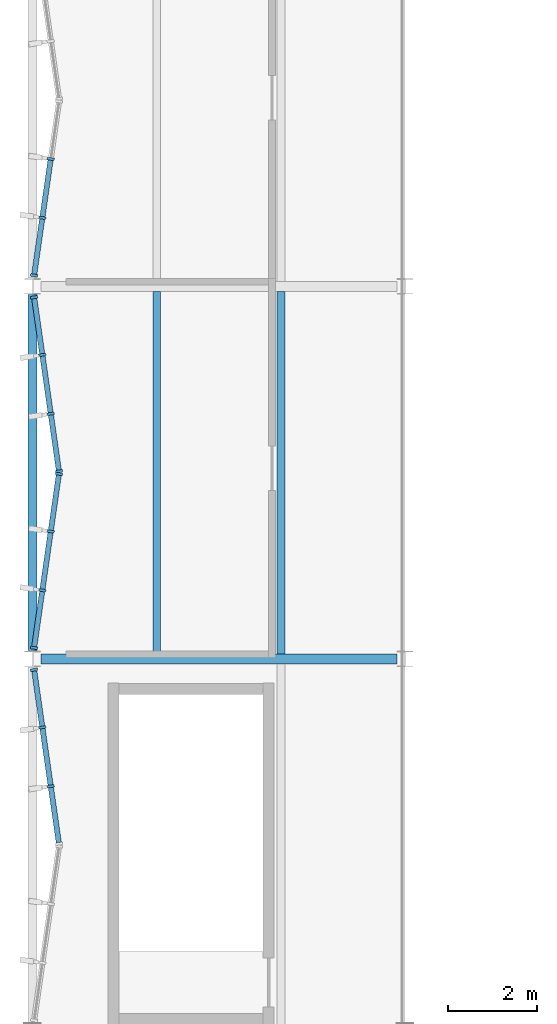
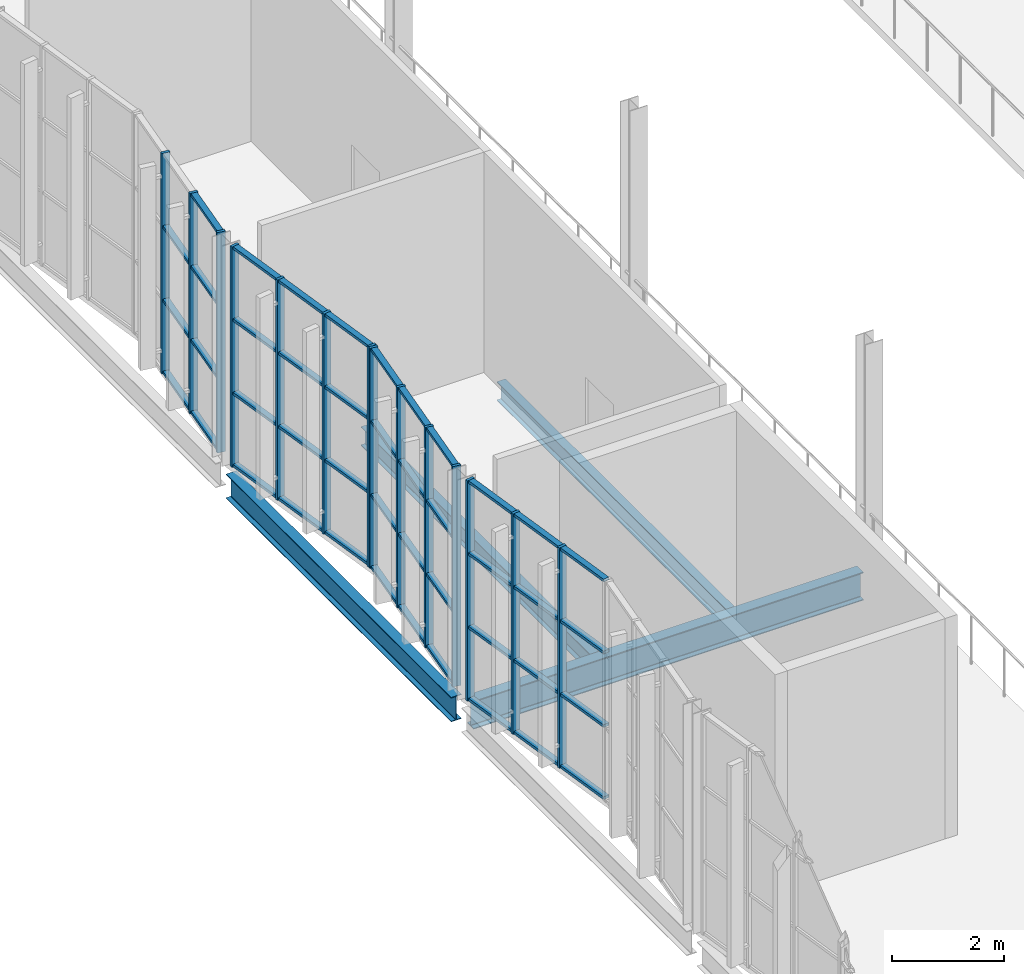
# One storey, part 30 of 116: 57 members, 4 beams, 4 elements without a shape of their own.
"""IFC4 building model written with IfcOpenShell, lengths in metres."""

from ifc_helpers import new_model, si_unit, direction, frame, origin, origin_2d, place, context, subcontext, project, spatial, rectangle, i_section, extrude, material, material_profile, profile_set, type_object, element, aggregate, save


model = new_model("IFC4")

# Units and contexts
model_context = context("Model", 3, precision=1e-05, world=origin(), true_north=direction((0.0, 1.0)))
body_context = subcontext(model_context, "Body", "Model", "MODEL_VIEW")
ifc_project = project(units=[si_unit("LENGTHUNIT", "METRE"), si_unit("AREAUNIT", "SQUARE_METRE"), si_unit("VOLUMEUNIT", "CUBIC_METRE"), si_unit("PLANEANGLEUNIT", "RADIAN"), si_unit("MASSUNIT", "GRAM", prefix="KILO")], contexts=[model_context])

# Site, building, storey
site_placement = place(None, origin())
site = spatial("IfcSite", under=ifc_project, at=site_placement, CompositionType="ELEMENT")
building_placement = place(site_placement, origin())
building = spatial("IfcBuilding", under=site, at=building_placement, Name="Ljudholm Concert House", CompositionType="ELEMENT")
storey_placement = place(building_placement, frame((0.0, 0.0, 10.199951171875)))
storey = spatial("IfcBuildingStorey", under=building, at=storey_placement, Name="L02", CompositionType="ELEMENT", Elevation=10.199951171875)

# Curtain wall, members
ifc_material_1 = material(Name="Aluminium curtain wall with impact-rated laminated glass", Category="aluminium")
curtain_wall_type = type_object("IfcCurtainWallType", Name="CURTAIN WALL 1400", PredefinedType="NOTDEFINED", material=ifc_material_1)
curtain_wall_1_placement = place(storey_placement, origin())
curtain_wall_1 = element("IfcCurtainWall", 1, at=curtain_wall_1_placement, inside=storey, type_object=curtain_wall_type, Name="Facade curtain wall", PredefinedType="NOTDEFINED")
ifc_material_2 = material(Name="Aluminium extrusion", Category="aluminium")
ifc_material_profile_1 = material_profile(ifc_material_2, rectangle(XDim=0.159912109375, YDim=0.06005859375, at=origin_2d()), Name="MULLION 60x160")
ifc_profile_set_1 = profile_set([ifc_material_profile_1], Name="Aluminium extrusion")
member_type_1 = type_object("IfcMemberType", Name="MULLION 60x160", PredefinedType="MULLION", material=ifc_profile_set_1)
member_1_placement = place(storey_placement, frame((4.410400390625, 68.327392578125, 0.0), z_axis=(0.0, 0.0, 1.0), x_axis=(-0.989949493647, -0.141421356338, 0.0)))
member_1 = element("IfcMember", 2, at=member_1_placement, type_object=member_type_1, Name="Mullion", PredefinedType="MULLION", context=body_context, shape_type="SweptSolid", body=[
    extrude(rectangle(XDim=0.159912109375, YDim=0.06005859375, at=origin_2d()), origin(), (0.0, 0.0, 1.0), 4.800048828125),
])
member_2_placement = place(storey_placement, frame((4.220703125, 69.65478515625, 0.0), z_axis=(0.0, 0.0, 1.0), x_axis=(-0.989949493647, -0.141421356338, 0.0)))
member_2 = element("IfcMember", 3, at=member_2_placement, type_object=member_type_1, Name="Mullion", PredefinedType="MULLION", context=body_context, shape_type="SweptSolid", body=[
    extrude(rectangle(XDim=0.159912109375, YDim=0.06005859375, at=origin_2d()), origin(), (0.0, 0.0, 1.0), 4.800048828125),
])
member_3_placement = place(storey_placement, frame((4.035400390625, 70.952392578125, 0.0), z_axis=(0.0, 0.0, 1.0), x_axis=(-0.989949493647, -0.141421356338, 0.0)))
member_3 = element("IfcMember", 4, at=member_3_placement, type_object=member_type_1, Name="Mullion", PredefinedType="MULLION", context=body_context, shape_type="SweptSolid", body=[
    extrude(rectangle(XDim=0.159912109375, YDim=0.06005859375, at=origin_2d()), origin(), (0.0, 0.0, 1.0), 4.800048828125),
])

curtain_wall_2_placement = place(storey_placement, origin())
curtain_wall_2 = element("IfcCurtainWall", 5, at=curtain_wall_2_placement, inside=storey, type_object=curtain_wall_type, Name="Facade curtain wall", PredefinedType="NOTDEFINED")
member_4_placement = place(storey_placement, frame((4.035400390625, 71.447509765625, 0.0), z_axis=(0.0, 0.0, 1.0), x_axis=(-0.989949493647, 0.141421356338, 0.0)))
member_4 = element("IfcMember", 6, at=member_4_placement, type_object=member_type_1, Name="Mullion", PredefinedType="MULLION", context=body_context, shape_type="SweptSolid", body=[
    extrude(rectangle(XDim=0.159912109375, YDim=0.06005859375, at=origin_2d()), origin(), (0.0, 0.0, 1.0), 4.800048828125),
])
member_5_placement = place(storey_placement, frame((4.220703125, 72.7451171875, 0.0), z_axis=(0.0, 0.0, 1.0), x_axis=(-0.989949493647, 0.141421356338, 0.0)))
member_5 = element("IfcMember", 7, at=member_5_placement, type_object=member_type_1, Name="Mullion", PredefinedType="MULLION", context=body_context, shape_type="SweptSolid", body=[
    extrude(rectangle(XDim=0.159912109375, YDim=0.06005859375, at=origin_2d()), origin(), (0.0, 0.0, 1.0), 4.800048828125),
])
member_6_placement = place(storey_placement, frame((4.410400390625, 74.072509765625, 0.0), z_axis=(0.0, 0.0, 1.0), x_axis=(-0.989949493647, 0.141421356338, 0.0)))
member_6 = element("IfcMember", 8, at=member_6_placement, type_object=member_type_1, Name="Mullion", PredefinedType="MULLION", context=body_context, shape_type="SweptSolid", body=[
    extrude(rectangle(XDim=0.159912109375, YDim=0.06005859375, at=origin_2d()), origin(), (0.0, 0.0, 1.0), 4.800048828125),
])
member_7_placement = place(storey_placement, frame((4.595703125, 75.370361328125, 0.0), z_axis=(0.0, 0.0, 1.0), x_axis=(-0.989949493647, 0.141421356338, 0.0)))
member_7 = element("IfcMember", 9, at=member_7_placement, type_object=member_type_1, Name="Mullion", PredefinedType="MULLION", context=body_context, shape_type="SweptSolid", body=[
    extrude(rectangle(XDim=0.159912109375, YDim=0.06005859375, at=origin_2d()), origin(), (0.0, 0.0, 1.0), 4.800048828125),
])

curtain_wall_3_placement = place(storey_placement, origin())
curtain_wall_3 = element("IfcCurtainWall", 10, at=curtain_wall_3_placement, inside=storey, type_object=curtain_wall_type, Name="Facade curtain wall", PredefinedType="NOTDEFINED")
member_8_placement = place(storey_placement, frame((4.595703125, 75.4296875, 0.0), z_axis=(0.0, 0.0, 1.0), x_axis=(-0.989949493647, -0.141421356338, 0.0)))
member_8 = element("IfcMember", 11, at=member_8_placement, type_object=member_type_1, Name="Mullion", PredefinedType="MULLION", context=body_context, shape_type="SweptSolid", body=[
    extrude(rectangle(XDim=0.159912109375, YDim=0.06005859375, at=origin_2d()), origin(), (0.0, 0.0, 1.0), 4.800048828125),
])
member_9_placement = place(storey_placement, frame((4.410400390625, 76.727294921875, 0.0), z_axis=(0.0, 0.0, 1.0), x_axis=(-0.989949493647, -0.141421356338, 0.0)))
member_9 = element("IfcMember", 12, at=member_9_placement, type_object=member_type_1, Name="Mullion", PredefinedType="MULLION", context=body_context, shape_type="SweptSolid", body=[
    extrude(rectangle(XDim=0.159912109375, YDim=0.06005859375, at=origin_2d()), origin(), (0.0, 0.0, 1.0), 4.800048828125),
])
member_10_placement = place(storey_placement, frame((4.220703125, 78.0546875, 0.0), z_axis=(0.0, 0.0, 1.0), x_axis=(-0.989949493647, -0.141421356338, 0.0)))
member_10 = element("IfcMember", 13, at=member_10_placement, type_object=member_type_1, Name="Mullion", PredefinedType="MULLION", context=body_context, shape_type="SweptSolid", body=[
    extrude(rectangle(XDim=0.159912109375, YDim=0.06005859375, at=origin_2d()), origin(), (0.0, 0.0, 1.0), 4.800048828125),
])
member_11_placement = place(storey_placement, frame((4.035400390625, 79.3525390625, 0.0), z_axis=(0.0, 0.0, 1.0), x_axis=(-0.989949493647, -0.141421356338, 0.0)))
member_11 = element("IfcMember", 14, at=member_11_placement, type_object=member_type_1, Name="Mullion", PredefinedType="MULLION", context=body_context, shape_type="SweptSolid", body=[
    extrude(rectangle(XDim=0.159912109375, YDim=0.06005859375, at=origin_2d()), origin(), (0.0, 0.0, 1.0), 4.800048828125),
])

curtain_wall_4_placement = place(storey_placement, origin())
curtain_wall_4 = element("IfcCurtainWall", 15, at=curtain_wall_4_placement, inside=storey, type_object=curtain_wall_type, Name="Facade curtain wall", PredefinedType="NOTDEFINED")
member_12_placement = place(storey_placement, frame((4.035400390625, 79.847412109375, 0.0), z_axis=(0.0, 0.0, 1.0), x_axis=(-0.989949493647, 0.141421356338, 0.0)))
member_12 = element("IfcMember", 16, at=member_12_placement, type_object=member_type_1, Name="Mullion", PredefinedType="MULLION", context=body_context, shape_type="SweptSolid", body=[
    extrude(rectangle(XDim=0.159912109375, YDim=0.06005859375, at=origin_2d()), origin(), (0.0, 0.0, 1.0), 4.800048828125),
])
member_13_placement = place(storey_placement, frame((4.220703125, 81.145263671875, 0.0), z_axis=(0.0, 0.0, 1.0), x_axis=(-0.989949493647, 0.141421356338, 0.0)))
member_13 = element("IfcMember", 17, at=member_13_placement, type_object=member_type_1, Name="Mullion", PredefinedType="MULLION", context=body_context, shape_type="SweptSolid", body=[
    extrude(rectangle(XDim=0.159912109375, YDim=0.06005859375, at=origin_2d()), origin(), (0.0, 0.0, 1.0), 4.800048828125),
])
member_14_placement = place(storey_placement, frame((4.410400390625, 82.47265625, 0.0), z_axis=(0.0, 0.0, 1.0), x_axis=(-0.989949493647, 0.141421356338, 0.0)))
member_14 = element("IfcMember", 18, at=member_14_placement, type_object=member_type_1, Name="Mullion", PredefinedType="MULLION", context=body_context, shape_type="SweptSolid", body=[
    extrude(rectangle(XDim=0.159912109375, YDim=0.06005859375, at=origin_2d()), origin(), (0.0, 0.0, 1.0), 4.800048828125),
])

# Beams
ifc_material_3 = material(Name="Steel ASTM A992", Category="steel")
ifc_material_profile_2 = material_profile(ifc_material_3, i_section(OverallWidth=0.177734375, OverallDepth=0.406494140625, WebThickness=0.0078125, FlangeThickness=0.012939453125, FilletRadius=0.01025390625, at=origin_2d()), Name="W16X40")
ifc_profile_set_2 = profile_set([ifc_material_profile_2], Name="Steel ASTM A992")
beam_type_1 = type_object("IfcBeamType", Name="STEEL BEAM W16X40", PredefinedType="BEAM", material=ifc_profile_set_2)
for number, where, z_axis, x_axis, name in (
    (19, (6.800048828125, 71.314453125, -0.383056640625), (0.0, 1.0, 0.0), (-1.0, 0.0, 0.0), "Secondary beam"),
    (20, (9.60009765625, 71.314453125, -0.383056640625), (0.0, 1.0, 0.0), (-1.0, 0.0, 0.0), "Secondary beam"),
):
    element("IfcBeam", number, at=place(storey_placement, frame(where, z_axis=z_axis, x_axis=x_axis)), inside=storey, type_object=beam_type_1, Name=name, PredefinedType="BEAM", context=body_context, shape_type="SweptSolid", body=[
        extrude(i_section(OverallWidth=0.177734375, OverallDepth=0.406494140625, WebThickness=0.0078125, FlangeThickness=0.012939453125, FilletRadius=0.01025390625, at=origin_2d()), origin(), (0.0, 0.0, 1.0), 8.1708984375),
    ])
ifc_material_4 = material(Name="Steel ASTM A992", Category="steel")
ifc_material_profile_3 = material_profile(ifc_material_4, i_section(OverallWidth=0.209228515625, OverallDepth=0.533447265625, WebThickness=0.01025390625, FlangeThickness=0.015625, FilletRadius=0.012939453125, at=origin_2d()), Name="W21X62")
ifc_profile_set_3 = profile_set([ifc_material_profile_3], Name="Steel ASTM A992")
beam_type_2 = type_object("IfcBeamType", Name="STEEL BEAM W21X62", PredefinedType="BEAM", material=ifc_profile_set_3)
beam_1_placement = place(storey_placement, frame((4.0, 71.38671875, -0.446533203125), z_axis=(0.0, 1.0, 0.0), x_axis=(-1.0, 0.0, 0.0)))
element("IfcBeam", 21, at=beam_1_placement, inside=storey, type_object=beam_type_2, Name="Floor edge beam", PredefinedType="BEAM", context=body_context, shape_type="SweptSolid", body=[
    extrude(i_section(OverallWidth=0.209228515625, OverallDepth=0.533447265625, WebThickness=0.01025390625, FlangeThickness=0.015625, FilletRadius=0.012939453125, at=origin_2d()), origin(), (0.0, 0.0, 1.0), 8.026611328125),
])
ifc_material_5 = material(Name="Steel ASTM A992", Category="steel")
ifc_material_profile_4 = material_profile(ifc_material_5, i_section(OverallWidth=0.22900390625, OverallDepth=0.612060546875, WebThickness=0.011962890625, FlangeThickness=0.01953125, FilletRadius=0.0126953125, at=origin_2d()), Name="W24X84")
ifc_profile_set_4 = profile_set([ifc_material_profile_4], Name="Steel ASTM A992")
beam_type_3 = type_object("IfcBeamType", Name="STEEL BEAM W24X84", PredefinedType="BEAM", material=ifc_profile_set_4)
beam_2_placement = place(storey_placement, frame((4.186767578125, 71.199951171875, -0.486083984375), z_axis=(1.0, 0.0, 0.0), x_axis=(0.0, 1.0, 0.0)))
element("IfcBeam", 22, at=beam_2_placement, inside=storey, type_object=beam_type_3, Name="Floor girder", PredefinedType="BEAM", context=body_context, shape_type="SweptSolid", body=[
    extrude(i_section(OverallWidth=0.22900390625, OverallDepth=0.612060546875, WebThickness=0.011962890625, FlangeThickness=0.01953125, FilletRadius=0.0126953125, at=origin_2d()), origin(), (0.0, 0.0, 1.0), 8.026611328125),
])

# Member
ifc_material_6 = material(Name="Aluminium extrusion", Category="aluminium")
ifc_material_profile_5 = material_profile(ifc_material_6, rectangle(XDim=0.1201171875, YDim=0.06005859375, at=origin_2d()), Name="TRANSOM 60x120")
ifc_profile_set_5 = profile_set([ifc_material_profile_5], Name="Aluminium extrusion")
member_type_2 = type_object("IfcMemberType", Name="TRANSOM 60x120", PredefinedType="USERDEFINED", material=ifc_profile_set_5)
member_15_placement = place(storey_placement, frame((4.591552734375, 67.059326171875, 0.030029296875), z_axis=(-0.141503330095, 0.989937779647, 0.0), x_axis=(-0.989937779647, -0.141503330095, 0.0)))
member_15 = element("IfcMember", 23, at=member_15_placement, type_object=member_type_2, Name="Transom", ObjectType="TRANSOM", PredefinedType="USERDEFINED", context=body_context, shape_type="SweptSolid", body=[
    extrude(rectangle(XDim=0.1201171875, YDim=0.06005859375, at=origin_2d()), origin(), (0.0, 0.0, 1.0), 1.2509765625),
])

member_16_placement = place(storey_placement, frame((4.591552734375, 67.059326171875, 1.60009765625), z_axis=(-0.141503330095, 0.989937779647, 0.0), x_axis=(-0.989937779647, -0.141503330095, 0.0)))
member_16 = element("IfcMember", 24, at=member_16_placement, type_object=member_type_2, Name="Transom", ObjectType="TRANSOM", PredefinedType="USERDEFINED", context=body_context, shape_type="SweptSolid", body=[
    extrude(rectangle(XDim=0.1201171875, YDim=0.06005859375, at=origin_2d()), origin(), (0.0, 0.0, 1.0), 1.2509765625),
])

member_17_placement = place(storey_placement, frame((4.591552734375, 67.059326171875, 3.199951171875), z_axis=(-0.141503330095, 0.989937779647, 0.0), x_axis=(-0.989937779647, -0.141503330095, 0.0)))
member_17 = element("IfcMember", 25, at=member_17_placement, type_object=member_type_2, Name="Transom", ObjectType="TRANSOM", PredefinedType="USERDEFINED", context=body_context, shape_type="SweptSolid", body=[
    extrude(rectangle(XDim=0.1201171875, YDim=0.06005859375, at=origin_2d()), origin(), (0.0, 0.0, 1.0), 1.2509765625),
])

member_18_placement = place(storey_placement, frame((4.591552734375, 67.059326171875, 4.77001953125), z_axis=(-0.141503330095, 0.989937779647, 0.0), x_axis=(-0.989937779647, -0.141503330095, 0.0)))
member_18 = element("IfcMember", 26, at=member_18_placement, type_object=member_type_2, Name="Transom", ObjectType="TRANSOM", PredefinedType="USERDEFINED", context=body_context, shape_type="SweptSolid", body=[
    extrude(rectangle(XDim=0.1201171875, YDim=0.06005859375, at=origin_2d()), origin(), (0.0, 0.0, 1.0), 1.2509765625),
])

member_19_placement = place(storey_placement, frame((4.40625, 68.357177734375, 0.030029296875), z_axis=(-0.141448044496, 0.989945680686, 0.0), x_axis=(-0.989945680686, -0.141448044496, 0.0)))
member_19 = element("IfcMember", 27, at=member_19_placement, type_object=member_type_2, Name="Transom", ObjectType="TRANSOM", PredefinedType="USERDEFINED", context=body_context, shape_type="SweptSolid", body=[
    extrude(rectangle(XDim=0.1201171875, YDim=0.06005859375, at=origin_2d()), origin(), (0.0, 0.0, 1.0), 1.28076171875),
])

member_20_placement = place(storey_placement, frame((4.40625, 68.357177734375, 1.60009765625), z_axis=(-0.141448044496, 0.989945680686, 0.0), x_axis=(-0.989945680686, -0.141448044496, 0.0)))
member_20 = element("IfcMember", 28, at=member_20_placement, type_object=member_type_2, Name="Transom", ObjectType="TRANSOM", PredefinedType="USERDEFINED", context=body_context, shape_type="SweptSolid", body=[
    extrude(rectangle(XDim=0.1201171875, YDim=0.06005859375, at=origin_2d()), origin(), (0.0, 0.0, 1.0), 1.28076171875),
])

member_21_placement = place(storey_placement, frame((4.40625, 68.357177734375, 3.199951171875), z_axis=(-0.141448044496, 0.989945680686, 0.0), x_axis=(-0.989945680686, -0.141448044496, 0.0)))
member_21 = element("IfcMember", 29, at=member_21_placement, type_object=member_type_2, Name="Transom", ObjectType="TRANSOM", PredefinedType="USERDEFINED", context=body_context, shape_type="SweptSolid", body=[
    extrude(rectangle(XDim=0.1201171875, YDim=0.06005859375, at=origin_2d()), origin(), (0.0, 0.0, 1.0), 1.28076171875),
])

member_22_placement = place(storey_placement, frame((4.40625, 68.357177734375, 4.77001953125), z_axis=(-0.141448044496, 0.989945680686, 0.0), x_axis=(-0.989945680686, -0.141448044496, 0.0)))
member_22 = element("IfcMember", 30, at=member_22_placement, type_object=member_type_2, Name="Transom", ObjectType="TRANSOM", PredefinedType="USERDEFINED", context=body_context, shape_type="SweptSolid", body=[
    extrude(rectangle(XDim=0.1201171875, YDim=0.06005859375, at=origin_2d()), origin(), (0.0, 0.0, 1.0), 1.28076171875),
])

member_23_placement = place(storey_placement, frame((4.216552734375, 69.6845703125, 0.030029296875), z_axis=(-0.141503330095, 0.989937779647, 0.0), x_axis=(-0.989937779647, -0.141503330095, 0.0)))
member_23 = element("IfcMember", 31, at=member_23_placement, type_object=member_type_2, Name="Transom", ObjectType="TRANSOM", PredefinedType="USERDEFINED", context=body_context, shape_type="SweptSolid", body=[
    extrude(rectangle(XDim=0.1201171875, YDim=0.06005859375, at=origin_2d()), origin(), (0.0, 0.0, 1.0), 1.2509765625),
])

member_24_placement = place(storey_placement, frame((4.216552734375, 69.6845703125, 1.60009765625), z_axis=(-0.141503330095, 0.989937779647, 0.0), x_axis=(-0.989937779647, -0.141503330095, 0.0)))
member_24 = element("IfcMember", 32, at=member_24_placement, type_object=member_type_2, Name="Transom", ObjectType="TRANSOM", PredefinedType="USERDEFINED", context=body_context, shape_type="SweptSolid", body=[
    extrude(rectangle(XDim=0.1201171875, YDim=0.06005859375, at=origin_2d()), origin(), (0.0, 0.0, 1.0), 1.2509765625),
])

member_25_placement = place(storey_placement, frame((4.216552734375, 69.6845703125, 3.199951171875), z_axis=(-0.141503330095, 0.989937779647, 0.0), x_axis=(-0.989937779647, -0.141503330095, 0.0)))
member_25 = element("IfcMember", 33, at=member_25_placement, type_object=member_type_2, Name="Transom", ObjectType="TRANSOM", PredefinedType="USERDEFINED", context=body_context, shape_type="SweptSolid", body=[
    extrude(rectangle(XDim=0.1201171875, YDim=0.06005859375, at=origin_2d()), origin(), (0.0, 0.0, 1.0), 1.2509765625),
])

member_26_placement = place(storey_placement, frame((4.216552734375, 69.6845703125, 4.77001953125), z_axis=(-0.141503330095, 0.989937779647, 0.0), x_axis=(-0.989937779647, -0.141503330095, 0.0)))
member_26 = element("IfcMember", 34, at=member_26_placement, type_object=member_type_2, Name="Transom", ObjectType="TRANSOM", PredefinedType="USERDEFINED", context=body_context, shape_type="SweptSolid", body=[
    extrude(rectangle(XDim=0.1201171875, YDim=0.06005859375, at=origin_2d()), origin(), (0.0, 0.0, 1.0), 1.2509765625),
])

aggregate(curtain_wall_1, [member_1, member_2, member_3, member_15, member_16, member_17, member_18, member_19, member_20, member_21, member_22, member_23, member_24, member_25, member_26])

member_27_placement = place(storey_placement, frame((4.03955078125, 71.477294921875, 0.030029296875), z_axis=(0.141503330095, 0.989937779647, 0.0), x_axis=(-0.989937779647, 0.141503330095, 0.0)))
member_27 = element("IfcMember", 35, at=member_27_placement, type_object=member_type_2, Name="Transom", ObjectType="TRANSOM", PredefinedType="USERDEFINED", context=body_context, shape_type="SweptSolid", body=[
    extrude(rectangle(XDim=0.1201171875, YDim=0.06005859375, at=origin_2d()), origin(), (0.0, 0.0, 1.0), 1.2509765625),
])

member_28_placement = place(storey_placement, frame((4.03955078125, 71.477294921875, 1.60009765625), z_axis=(0.141503330095, 0.989937779647, 0.0), x_axis=(-0.989937779647, 0.141503330095, 0.0)))
member_28 = element("IfcMember", 36, at=member_28_placement, type_object=member_type_2, Name="Transom", ObjectType="TRANSOM", PredefinedType="USERDEFINED", context=body_context, shape_type="SweptSolid", body=[
    extrude(rectangle(XDim=0.1201171875, YDim=0.06005859375, at=origin_2d()), origin(), (0.0, 0.0, 1.0), 1.2509765625),
])

member_29_placement = place(storey_placement, frame((4.03955078125, 71.477294921875, 3.199951171875), z_axis=(0.141503330095, 0.989937779647, 0.0), x_axis=(-0.989937779647, 0.141503330095, 0.0)))
member_29 = element("IfcMember", 37, at=member_29_placement, type_object=member_type_2, Name="Transom", ObjectType="TRANSOM", PredefinedType="USERDEFINED", context=body_context, shape_type="SweptSolid", body=[
    extrude(rectangle(XDim=0.1201171875, YDim=0.06005859375, at=origin_2d()), origin(), (0.0, 0.0, 1.0), 1.2509765625),
])

member_30_placement = place(storey_placement, frame((4.03955078125, 71.477294921875, 4.77001953125), z_axis=(0.141503330095, 0.989937779647, 0.0), x_axis=(-0.989937779647, 0.141503330095, 0.0)))
member_30 = element("IfcMember", 38, at=member_30_placement, type_object=member_type_2, Name="Transom", ObjectType="TRANSOM", PredefinedType="USERDEFINED", context=body_context, shape_type="SweptSolid", body=[
    extrude(rectangle(XDim=0.1201171875, YDim=0.06005859375, at=origin_2d()), origin(), (0.0, 0.0, 1.0), 1.2509765625),
])

member_31_placement = place(storey_placement, frame((4.22509765625, 72.77490234375, 0.030029296875), z_axis=(0.141421356237, 0.989949493661, 0.0), x_axis=(-0.989949493661, 0.141421356237, 0.0)))
member_31 = element("IfcMember", 39, at=member_31_placement, type_object=member_type_2, Name="Transom", ObjectType="TRANSOM", PredefinedType="USERDEFINED", context=body_context, shape_type="SweptSolid", body=[
    extrude(rectangle(XDim=0.1201171875, YDim=0.06005859375, at=origin_2d()), origin(), (0.0, 0.0, 1.0), 1.281005859375),
])

member_32_placement = place(storey_placement, frame((4.22509765625, 72.77490234375, 1.60009765625), z_axis=(0.141421356237, 0.989949493661, 0.0), x_axis=(-0.989949493661, 0.141421356237, 0.0)))
member_32 = element("IfcMember", 40, at=member_32_placement, type_object=member_type_2, Name="Transom", ObjectType="TRANSOM", PredefinedType="USERDEFINED", context=body_context, shape_type="SweptSolid", body=[
    extrude(rectangle(XDim=0.1201171875, YDim=0.06005859375, at=origin_2d()), origin(), (0.0, 0.0, 1.0), 1.281005859375),
])

member_33_placement = place(storey_placement, frame((4.22509765625, 72.77490234375, 3.199951171875), z_axis=(0.141421356237, 0.989949493661, 0.0), x_axis=(-0.989949493661, 0.141421356237, 0.0)))
member_33 = element("IfcMember", 41, at=member_33_placement, type_object=member_type_2, Name="Transom", ObjectType="TRANSOM", PredefinedType="USERDEFINED", context=body_context, shape_type="SweptSolid", body=[
    extrude(rectangle(XDim=0.1201171875, YDim=0.06005859375, at=origin_2d()), origin(), (0.0, 0.0, 1.0), 1.281005859375),
])

member_34_placement = place(storey_placement, frame((4.22509765625, 72.77490234375, 4.77001953125), z_axis=(0.141421356237, 0.989949493661, 0.0), x_axis=(-0.989949493661, 0.141421356237, 0.0)))
member_34 = element("IfcMember", 42, at=member_34_placement, type_object=member_type_2, Name="Transom", ObjectType="TRANSOM", PredefinedType="USERDEFINED", context=body_context, shape_type="SweptSolid", body=[
    extrude(rectangle(XDim=0.1201171875, YDim=0.06005859375, at=origin_2d()), origin(), (0.0, 0.0, 1.0), 1.281005859375),
])

member_35_placement = place(storey_placement, frame((4.41455078125, 74.102294921875, 0.030029296875), z_axis=(0.141503330095, 0.989937779647, 0.0), x_axis=(-0.989937779647, 0.141503330095, 0.0)))
member_35 = element("IfcMember", 43, at=member_35_placement, type_object=member_type_2, Name="Transom", ObjectType="TRANSOM", PredefinedType="USERDEFINED", context=body_context, shape_type="SweptSolid", body=[
    extrude(rectangle(XDim=0.1201171875, YDim=0.06005859375, at=origin_2d()), origin(), (0.0, 0.0, 1.0), 1.2509765625),
])

member_36_placement = place(storey_placement, frame((4.41455078125, 74.102294921875, 1.60009765625), z_axis=(0.141503330095, 0.989937779647, 0.0), x_axis=(-0.989937779647, 0.141503330095, 0.0)))
member_36 = element("IfcMember", 44, at=member_36_placement, type_object=member_type_2, Name="Transom", ObjectType="TRANSOM", PredefinedType="USERDEFINED", context=body_context, shape_type="SweptSolid", body=[
    extrude(rectangle(XDim=0.1201171875, YDim=0.06005859375, at=origin_2d()), origin(), (0.0, 0.0, 1.0), 1.2509765625),
])

member_37_placement = place(storey_placement, frame((4.41455078125, 74.102294921875, 3.199951171875), z_axis=(0.141503330095, 0.989937779647, 0.0), x_axis=(-0.989937779647, 0.141503330095, 0.0)))
member_37 = element("IfcMember", 45, at=member_37_placement, type_object=member_type_2, Name="Transom", ObjectType="TRANSOM", PredefinedType="USERDEFINED", context=body_context, shape_type="SweptSolid", body=[
    extrude(rectangle(XDim=0.1201171875, YDim=0.06005859375, at=origin_2d()), origin(), (0.0, 0.0, 1.0), 1.2509765625),
])

member_38_placement = place(storey_placement, frame((4.41455078125, 74.102294921875, 4.77001953125), z_axis=(0.141503330095, 0.989937779647, 0.0), x_axis=(-0.989937779647, 0.141503330095, 0.0)))
member_38 = element("IfcMember", 46, at=member_38_placement, type_object=member_type_2, Name="Transom", ObjectType="TRANSOM", PredefinedType="USERDEFINED", context=body_context, shape_type="SweptSolid", body=[
    extrude(rectangle(XDim=0.1201171875, YDim=0.06005859375, at=origin_2d()), origin(), (0.0, 0.0, 1.0), 1.2509765625),
])

aggregate(curtain_wall_2, [member_4, member_5, member_6, member_7, member_27, member_28, member_29, member_30, member_31, member_32, member_33, member_34, member_35, member_36, member_37, member_38])

member_39_placement = place(storey_placement, frame((4.591552734375, 75.45947265625, 0.030029296875), z_axis=(-0.141503330095, 0.989937779647, 0.0), x_axis=(-0.989937779647, -0.141503330095, 0.0)))
member_39 = element("IfcMember", 47, at=member_39_placement, type_object=member_type_2, Name="Transom", ObjectType="TRANSOM", PredefinedType="USERDEFINED", context=body_context, shape_type="SweptSolid", body=[
    extrude(rectangle(XDim=0.1201171875, YDim=0.06005859375, at=origin_2d()), origin(), (0.0, 0.0, 1.0), 1.2509765625),
])

member_40_placement = place(storey_placement, frame((4.591552734375, 75.45947265625, 1.60009765625), z_axis=(-0.141503330095, 0.989937779647, 0.0), x_axis=(-0.989937779647, -0.141503330095, 0.0)))
member_40 = element("IfcMember", 48, at=member_40_placement, type_object=member_type_2, Name="Transom", ObjectType="TRANSOM", PredefinedType="USERDEFINED", context=body_context, shape_type="SweptSolid", body=[
    extrude(rectangle(XDim=0.1201171875, YDim=0.06005859375, at=origin_2d()), origin(), (0.0, 0.0, 1.0), 1.2509765625),
])

member_41_placement = place(storey_placement, frame((4.591552734375, 75.45947265625, 3.199951171875), z_axis=(-0.141503330095, 0.989937779647, 0.0), x_axis=(-0.989937779647, -0.141503330095, 0.0)))
member_41 = element("IfcMember", 49, at=member_41_placement, type_object=member_type_2, Name="Transom", ObjectType="TRANSOM", PredefinedType="USERDEFINED", context=body_context, shape_type="SweptSolid", body=[
    extrude(rectangle(XDim=0.1201171875, YDim=0.06005859375, at=origin_2d()), origin(), (0.0, 0.0, 1.0), 1.2509765625),
])

member_42_placement = place(storey_placement, frame((4.591552734375, 75.45947265625, 4.77001953125), z_axis=(-0.141503330095, 0.989937779647, 0.0), x_axis=(-0.989937779647, -0.141503330095, 0.0)))
member_42 = element("IfcMember", 50, at=member_42_placement, type_object=member_type_2, Name="Transom", ObjectType="TRANSOM", PredefinedType="USERDEFINED", context=body_context, shape_type="SweptSolid", body=[
    extrude(rectangle(XDim=0.1201171875, YDim=0.06005859375, at=origin_2d()), origin(), (0.0, 0.0, 1.0), 1.2509765625),
])

member_43_placement = place(storey_placement, frame((4.40625, 76.757080078125, 0.030029296875), z_axis=(-0.141421356237, 0.989949493661, 0.0), x_axis=(-0.989949493661, -0.141421356237, 0.0)))
member_43 = element("IfcMember", 51, at=member_43_placement, type_object=member_type_2, Name="Transom", ObjectType="TRANSOM", PredefinedType="USERDEFINED", context=body_context, shape_type="SweptSolid", body=[
    extrude(rectangle(XDim=0.1201171875, YDim=0.06005859375, at=origin_2d()), origin(), (0.0, 0.0, 1.0), 1.281005859375),
])

member_44_placement = place(storey_placement, frame((4.40625, 76.757080078125, 1.60009765625), z_axis=(-0.141421356237, 0.989949493661, 0.0), x_axis=(-0.989949493661, -0.141421356237, 0.0)))
member_44 = element("IfcMember", 52, at=member_44_placement, type_object=member_type_2, Name="Transom", ObjectType="TRANSOM", PredefinedType="USERDEFINED", context=body_context, shape_type="SweptSolid", body=[
    extrude(rectangle(XDim=0.1201171875, YDim=0.06005859375, at=origin_2d()), origin(), (0.0, 0.0, 1.0), 1.281005859375),
])

member_45_placement = place(storey_placement, frame((4.40625, 76.757080078125, 3.199951171875), z_axis=(-0.141421356237, 0.989949493661, 0.0), x_axis=(-0.989949493661, -0.141421356237, 0.0)))
member_45 = element("IfcMember", 53, at=member_45_placement, type_object=member_type_2, Name="Transom", ObjectType="TRANSOM", PredefinedType="USERDEFINED", context=body_context, shape_type="SweptSolid", body=[
    extrude(rectangle(XDim=0.1201171875, YDim=0.06005859375, at=origin_2d()), origin(), (0.0, 0.0, 1.0), 1.281005859375),
])

member_46_placement = place(storey_placement, frame((4.40625, 76.757080078125, 4.77001953125), z_axis=(-0.141421356237, 0.989949493661, 0.0), x_axis=(-0.989949493661, -0.141421356237, 0.0)))
member_46 = element("IfcMember", 54, at=member_46_placement, type_object=member_type_2, Name="Transom", ObjectType="TRANSOM", PredefinedType="USERDEFINED", context=body_context, shape_type="SweptSolid", body=[
    extrude(rectangle(XDim=0.1201171875, YDim=0.06005859375, at=origin_2d()), origin(), (0.0, 0.0, 1.0), 1.281005859375),
])

member_47_placement = place(storey_placement, frame((4.216552734375, 78.08447265625, 0.030029296875), z_axis=(-0.141503330095, 0.989937779647, 0.0), x_axis=(-0.989937779647, -0.141503330095, 0.0)))
member_47 = element("IfcMember", 55, at=member_47_placement, type_object=member_type_2, Name="Transom", ObjectType="TRANSOM", PredefinedType="USERDEFINED", context=body_context, shape_type="SweptSolid", body=[
    extrude(rectangle(XDim=0.1201171875, YDim=0.06005859375, at=origin_2d()), origin(), (0.0, 0.0, 1.0), 1.2509765625),
])

member_48_placement = place(storey_placement, frame((4.216552734375, 78.08447265625, 1.60009765625), z_axis=(-0.141503330095, 0.989937779647, 0.0), x_axis=(-0.989937779647, -0.141503330095, 0.0)))
member_48 = element("IfcMember", 56, at=member_48_placement, type_object=member_type_2, Name="Transom", ObjectType="TRANSOM", PredefinedType="USERDEFINED", context=body_context, shape_type="SweptSolid", body=[
    extrude(rectangle(XDim=0.1201171875, YDim=0.06005859375, at=origin_2d()), origin(), (0.0, 0.0, 1.0), 1.2509765625),
])

member_49_placement = place(storey_placement, frame((4.216552734375, 78.08447265625, 3.199951171875), z_axis=(-0.141503330095, 0.989937779647, 0.0), x_axis=(-0.989937779647, -0.141503330095, 0.0)))
member_49 = element("IfcMember", 57, at=member_49_placement, type_object=member_type_2, Name="Transom", ObjectType="TRANSOM", PredefinedType="USERDEFINED", context=body_context, shape_type="SweptSolid", body=[
    extrude(rectangle(XDim=0.1201171875, YDim=0.06005859375, at=origin_2d()), origin(), (0.0, 0.0, 1.0), 1.2509765625),
])

member_50_placement = place(storey_placement, frame((4.216552734375, 78.08447265625, 4.77001953125), z_axis=(-0.141503330095, 0.989937779647, 0.0), x_axis=(-0.989937779647, -0.141503330095, 0.0)))
member_50 = element("IfcMember", 58, at=member_50_placement, type_object=member_type_2, Name="Transom", ObjectType="TRANSOM", PredefinedType="USERDEFINED", context=body_context, shape_type="SweptSolid", body=[
    extrude(rectangle(XDim=0.1201171875, YDim=0.06005859375, at=origin_2d()), origin(), (0.0, 0.0, 1.0), 1.2509765625),
])

aggregate(curtain_wall_3, [member_8, member_9, member_10, member_11, member_39, member_40, member_41, member_42, member_43, member_44, member_45, member_46, member_47, member_48, member_49, member_50])

member_51_placement = place(storey_placement, frame((4.03955078125, 79.877197265625, 0.030029296875), z_axis=(0.141503330095, 0.989937779647, 0.0), x_axis=(-0.989937779647, 0.141503330095, 0.0)))
member_51 = element("IfcMember", 59, at=member_51_placement, type_object=member_type_2, Name="Transom", ObjectType="TRANSOM", PredefinedType="USERDEFINED", context=body_context, shape_type="SweptSolid", body=[
    extrude(rectangle(XDim=0.1201171875, YDim=0.06005859375, at=origin_2d()), origin(), (0.0, 0.0, 1.0), 1.2509765625),
])

member_52_placement = place(storey_placement, frame((4.03955078125, 79.877197265625, 1.60009765625), z_axis=(0.141503330095, 0.989937779647, 0.0), x_axis=(-0.989937779647, 0.141503330095, 0.0)))
member_52 = element("IfcMember", 60, at=member_52_placement, type_object=member_type_2, Name="Transom", ObjectType="TRANSOM", PredefinedType="USERDEFINED", context=body_context, shape_type="SweptSolid", body=[
    extrude(rectangle(XDim=0.1201171875, YDim=0.06005859375, at=origin_2d()), origin(), (0.0, 0.0, 1.0), 1.2509765625),
])

member_53_placement = place(storey_placement, frame((4.03955078125, 79.877197265625, 3.199951171875), z_axis=(0.141503330095, 0.989937779647, 0.0), x_axis=(-0.989937779647, 0.141503330095, 0.0)))
member_53 = element("IfcMember", 61, at=member_53_placement, type_object=member_type_2, Name="Transom", ObjectType="TRANSOM", PredefinedType="USERDEFINED", context=body_context, shape_type="SweptSolid", body=[
    extrude(rectangle(XDim=0.1201171875, YDim=0.06005859375, at=origin_2d()), origin(), (0.0, 0.0, 1.0), 1.2509765625),
])

member_54_placement = place(storey_placement, frame((4.03955078125, 79.877197265625, 4.77001953125), z_axis=(0.141503330095, 0.989937779647, 0.0), x_axis=(-0.989937779647, 0.141503330095, 0.0)))
member_54 = element("IfcMember", 62, at=member_54_placement, type_object=member_type_2, Name="Transom", ObjectType="TRANSOM", PredefinedType="USERDEFINED", context=body_context, shape_type="SweptSolid", body=[
    extrude(rectangle(XDim=0.1201171875, YDim=0.06005859375, at=origin_2d()), origin(), (0.0, 0.0, 1.0), 1.2509765625),
])

member_55_placement = place(storey_placement, frame((4.22509765625, 81.1748046875, 0.030029296875), z_axis=(0.141421356237, 0.989949493661, 0.0), x_axis=(-0.989949493661, 0.141421356237, 0.0)))
member_55 = element("IfcMember", 63, at=member_55_placement, type_object=member_type_2, Name="Transom", ObjectType="TRANSOM", PredefinedType="USERDEFINED", context=body_context, shape_type="SweptSolid", body=[
    extrude(rectangle(XDim=0.1201171875, YDim=0.06005859375, at=origin_2d()), origin(), (0.0, 0.0, 1.0), 1.281005859375),
])

member_56_placement = place(storey_placement, frame((4.22509765625, 81.1748046875, 1.60009765625), z_axis=(0.141421356237, 0.989949493661, 0.0), x_axis=(-0.989949493661, 0.141421356237, 0.0)))
member_56 = element("IfcMember", 64, at=member_56_placement, type_object=member_type_2, Name="Transom", ObjectType="TRANSOM", PredefinedType="USERDEFINED", context=body_context, shape_type="SweptSolid", body=[
    extrude(rectangle(XDim=0.1201171875, YDim=0.06005859375, at=origin_2d()), origin(), (0.0, 0.0, 1.0), 1.281005859375),
])

member_57_placement = place(storey_placement, frame((4.22509765625, 81.1748046875, 3.199951171875), z_axis=(0.141421356237, 0.989949493661, 0.0), x_axis=(-0.989949493661, 0.141421356237, 0.0)))
member_57 = element("IfcMember", 65, at=member_57_placement, type_object=member_type_2, Name="Transom", ObjectType="TRANSOM", PredefinedType="USERDEFINED", context=body_context, shape_type="SweptSolid", body=[
    extrude(rectangle(XDim=0.1201171875, YDim=0.06005859375, at=origin_2d()), origin(), (0.0, 0.0, 1.0), 1.281005859375),
])

aggregate(curtain_wall_4, [member_12, member_13, member_14, member_51, member_52, member_53, member_54, member_55, member_56, member_57])

save(model, "model.ifc")
